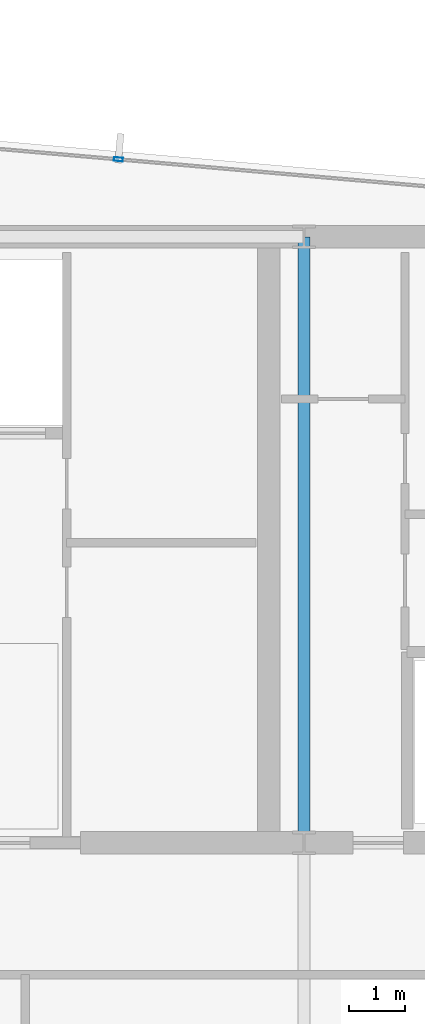
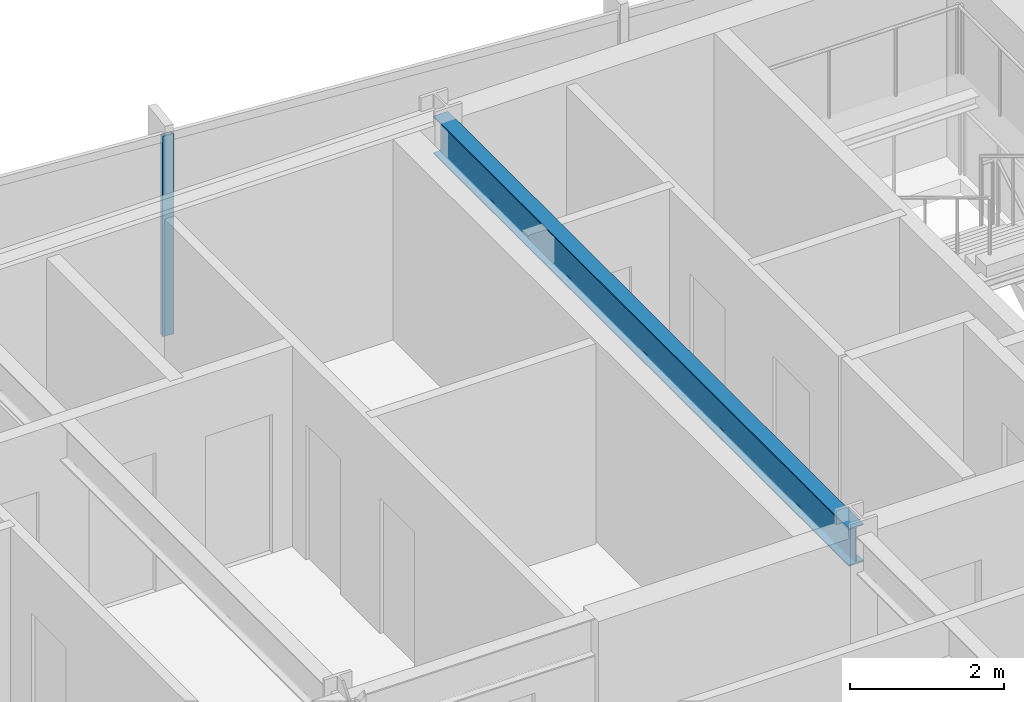
# One storey, part 19 of 33: 1 beam, 1 member, 1 element without a shape of its own.
"""IFC4 building model written with IfcOpenShell, lengths in metres."""

from ifc_helpers import new_model, si_unit, direction, frame, origin, origin_2d, place, context, subcontext, project, spatial, hollow_rectangle, i_section, extrude, material, material_profile, profile_set, type_object, element, aggregate, save


model = new_model("IFC4")

# Units and contexts
model_context = context("Model", 3, precision=1e-05, world=origin(), true_north=direction((0.0, 1.0)))
body_context = subcontext(model_context, "Body", "Model", "MODEL_VIEW")
ifc_project = project(units=[si_unit("LENGTHUNIT", "METRE"), si_unit("AREAUNIT", "SQUARE_METRE"), si_unit("VOLUMEUNIT", "CUBIC_METRE"), si_unit("PLANEANGLEUNIT", "RADIAN"), si_unit("MASSUNIT", "GRAM", prefix="KILO")], contexts=[model_context])

# Site, building, storey
site_placement = place(None, origin())
site = spatial("IfcSite", under=ifc_project, at=site_placement, CompositionType="ELEMENT")
building_placement = place(site_placement, origin())
building = spatial("IfcBuilding", under=site, at=building_placement, Name="Yelkora Congress Tower", CompositionType="ELEMENT")
storey_placement = place(building_placement, frame((0.0, 0.0, 282.89990234375)))
storey = spatial("IfcBuildingStorey", under=building, at=storey_placement, Name="L79", CompositionType="ELEMENT", Elevation=282.89990234375)

# Beam
ifc_material_1 = material(Name="Steel S355J2", Category="steel")
ifc_material_profile_1 = material_profile(ifc_material_1, i_section(OverallWidth=0.219970703125, OverallDepth=0.60009765625, WebThickness=0.011962890625, FlangeThickness=0.01904296875, FilletRadius=0.02392578125, at=origin_2d()), Name="IPE 600")
ifc_profile_set_1 = profile_set([ifc_material_profile_1], Name="Steel S355J2")
beam_type = type_object("IfcBeamType", Name="BM-GIRD-IPE600", PredefinedType="BEAM", material=ifc_profile_set_1)
beam_placement = place(storey_placement, frame((46.080078125, 35.39990234375, 2.880126953125), z_axis=(0.0, 1.0, 0.0), x_axis=(-1.0, 0.0, 0.0)))
element("IfcBeam", 1, at=beam_placement, inside=storey, type_object=beam_type, Name="L79 Core Tie Girder MC-S4", PredefinedType="BEAM", context=body_context, shape_type="SweptSolid", body=[
    extrude(i_section(OverallWidth=0.219970703125, OverallDepth=0.60009765625, WebThickness=0.011962890625, FlangeThickness=0.01904296875, FilletRadius=0.02392578125, at=origin_2d()), origin(), (0.0, 0.0, 1.0), 10.800048828125),
])

# Curtain wall, member
ifc_material_2 = material(Name="Anodised aluminium and insulated glass", Category="aluminium")
curtain_wall_type = type_object("IfcCurtainWallType", Name="CW-SYS-B5", PredefinedType="NOTDEFINED", material=ifc_material_2)
curtain_wall_placement = place(storey_placement, origin())
curtain_wall = element("IfcCurtainWall", 2, at=curtain_wall_placement, inside=storey, type_object=curtain_wall_type, Name="L79 Unitised Curtain Wall 10", PredefinedType="NOTDEFINED")
ifc_material_3 = material(Name="Anodised aluminium 6063-T6", Category="aluminium")
ifc_material_profile_2 = material_profile(ifc_material_3, hollow_rectangle(XDim=0.06494140625, YDim=0.159912109375, WallThickness=0.00390625, at=origin_2d()), Name="ALU 65x160x4")
ifc_profile_set_2 = profile_set([ifc_material_profile_2], Name="Anodised aluminium 6063-T6")
member_type = type_object("IfcMemberType", Name="MEM-ML-B5", PredefinedType="MULLION", material=ifc_profile_set_2)
member_placement = place(storey_placement, frame((42.77294921875, 47.58154296875, 0.0), z_axis=(0.0, 0.0, 1.0), x_axis=(0.087156639893, 0.996194619601, 0.0)))
member = element("IfcMember", 3, at=member_placement, type_object=member_type, Name="CW-B5 mullion 6", PredefinedType="MULLION", context=body_context, shape_type="SweptSolid", body=[
    extrude(hollow_rectangle(XDim=0.06494140625, YDim=0.159912109375, WallThickness=0.00390625, at=origin_2d()), origin(), (0.0, 0.0, 1.0), 3.18017578125),
])
aggregate(curtain_wall, [member])

save(model, "model.ifc")
